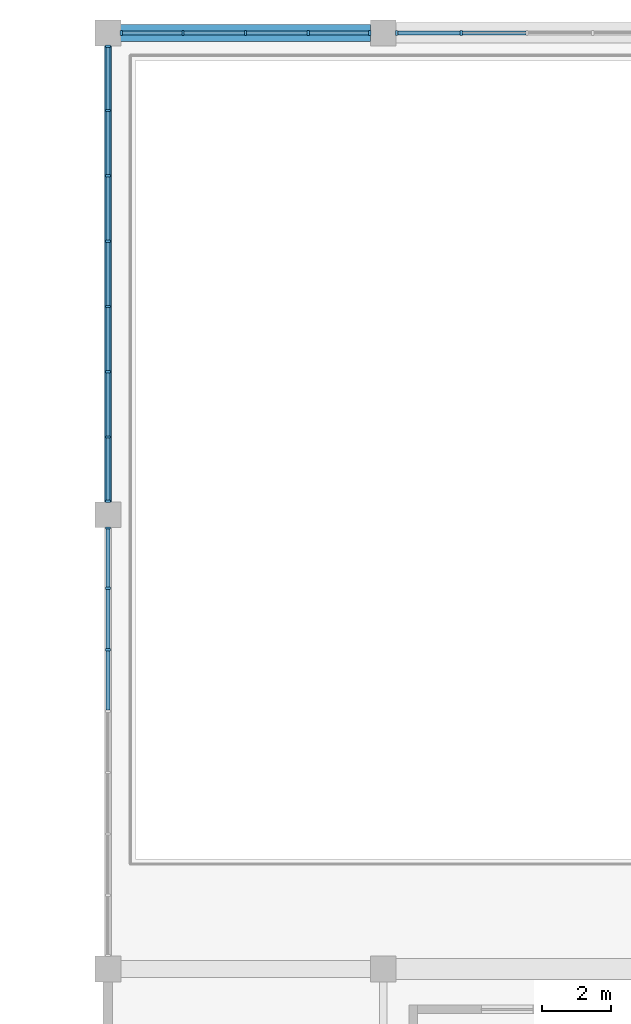
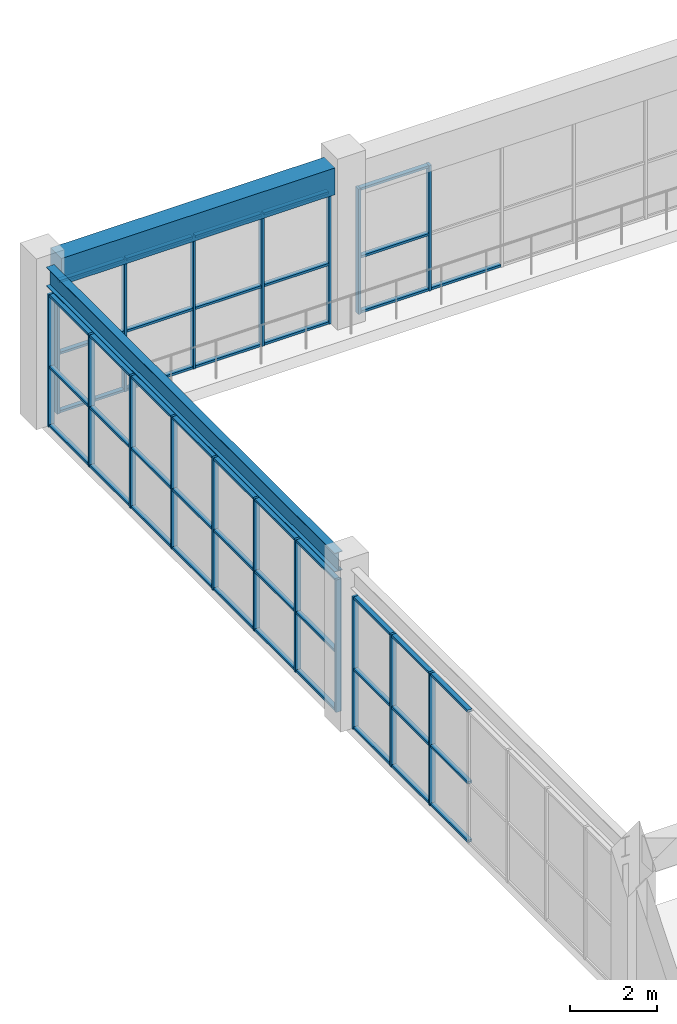
# One storey, part 62 of 112: 64 members, 2 beams, 4 elements without a shape of their own.
"""IFC4 building model written with IfcOpenShell, lengths in metres."""

from ifc_helpers import new_model, si_unit, direction, frame, origin, origin_2d, place, context, subcontext, project, spatial, rectangle, i_section, extrude, material, material_profile, profile_set, type_object, element, aggregate, save


model = new_model("IFC4")

# Units and contexts
model_context = context("Model", 3, precision=1e-05, world=origin(), true_north=direction((0.0, 1.0)))
body_context = subcontext(model_context, "Body", "Model", "MODEL_VIEW")
ifc_project = project(units=[si_unit("LENGTHUNIT", "METRE"), si_unit("AREAUNIT", "SQUARE_METRE"), si_unit("VOLUMEUNIT", "CUBIC_METRE"), si_unit("PLANEANGLEUNIT", "RADIAN"), si_unit("MASSUNIT", "GRAM", prefix="KILO")], contexts=[model_context])

# Site, building, storey
site_placement = place(None, origin())
site = spatial("IfcSite", under=ifc_project, at=site_placement, CompositionType="ELEMENT")
building_placement = place(site_placement, origin())
building = spatial("IfcBuilding", under=site, at=building_placement, Name="Cuetzalor Civic Arena", CompositionType="ELEMENT")
storey_placement = place(building_placement, frame((0.0, 0.0, 11.39990234375)))
storey = spatial("IfcBuildingStorey", under=building, at=storey_placement, Name="L02", CompositionType="ELEMENT", Elevation=11.39990234375)

# Beam
ifc_material_1 = material(Name="Concrete C40/50", Category="concrete")
ifc_material_profile_1 = material_profile(ifc_material_1, rectangle(XDim=0.5, YDim=0.75, at=origin_2d()), Name="RC 500x750")
ifc_profile_set_1 = profile_set([ifc_material_profile_1], Name="Concrete C40/50")
beam_type_1 = type_object("IfcBeamType", Name="ConcreteFrameBeam_500x750", PredefinedType="BEAM", material=ifc_profile_set_1)
beam_1_placement = place(storey_placement, frame((-71.635009765625, 75.5, 4.10498046875), z_axis=(1.0, 0.0, 0.0), x_axis=(0.0, 1.0, 0.0)))
element("IfcBeam", 1, at=beam_1_placement, inside=storey, type_object=beam_type_1, Name="Frame Girder V5-L02-X0808", PredefinedType="BEAM", context=body_context, shape_type="SweptSolid", body=[
    extrude(rectangle(XDim=0.5, YDim=0.75, at=origin_2d()), origin(), (0.0, 0.0, 1.0), 7.27001953125),
])

# Curtain wall, members
ifc_material_2 = material(Name="Anodised dark bronze aluminium and low-E solar glass", Category="aluminium")
curtain_wall_type_1 = type_object("IfcCurtainWallType", Name="StickCW_7300x3700", PredefinedType="USERDEFINED", material=ifc_material_2)
curtain_wall_1_placement = place(storey_placement, origin())
curtain_wall_1 = element("IfcCurtainWall", 2, at=curtain_wall_1_placement, inside=storey, type_object=curtain_wall_type_1, Name="Practice Court North-Light Curtain Wall L02-157", ObjectType="STICK CURTAIN WALL", PredefinedType="USERDEFINED")
ifc_material_3 = material(Name="Anodised dark bronze aluminium", Category="aluminium")
ifc_material_profile_2 = material_profile(ifc_material_3, rectangle(XDim=0.06494140625, YDim=0.14990234375, at=origin_2d()), Name="ALU MULLION 65x150")
ifc_profile_set_2 = profile_set([ifc_material_profile_2], Name="Anodised dark bronze aluminium")
member_type_1 = type_object("IfcMemberType", Name="CurtainWallMullion_60x150", PredefinedType="MULLION", material=ifc_profile_set_2)
member_1_placement = place(storey_placement, frame((-71.610595703125, 75.5, 0.0), z_axis=(0.0, 0.0, 1.0), x_axis=(1.0, 0.0, 0.0)))
member_1 = element("IfcMember", 3, at=member_1_placement, type_object=member_type_1, Name="CW-51 mullion 1", PredefinedType="MULLION", context=body_context, shape_type="SweptSolid", body=[
    extrude(rectangle(XDim=0.06494140625, YDim=0.14990234375, at=origin_2d()), origin(), (0.0, 0.0, 1.0), 3.72021484375),
])
member_2_placement = place(storey_placement, frame((-69.821533203125, 75.5, 0.0), z_axis=(0.0, 0.0, 1.0), x_axis=(1.0, 0.0, 0.0)))
member_2 = element("IfcMember", 4, at=member_2_placement, type_object=member_type_1, Name="CW-51 mullion 2", PredefinedType="MULLION", context=body_context, shape_type="SweptSolid", body=[
    extrude(rectangle(XDim=0.06494140625, YDim=0.14990234375, at=origin_2d()), origin(), (0.0, 0.0, 1.0), 3.72021484375),
])
member_3_placement = place(storey_placement, frame((-68.0, 75.5, 0.0), z_axis=(0.0, 0.0, 1.0), x_axis=(1.0, 0.0, 0.0)))
member_3 = element("IfcMember", 5, at=member_3_placement, type_object=member_type_1, Name="CW-51 mullion 3", PredefinedType="MULLION", context=body_context, shape_type="SweptSolid", body=[
    extrude(rectangle(XDim=0.06494140625, YDim=0.14990234375, at=origin_2d()), origin(), (0.0, 0.0, 1.0), 3.72021484375),
])
member_4_placement = place(storey_placement, frame((-66.178466796875, 75.5, 0.0), z_axis=(0.0, 0.0, 1.0), x_axis=(1.0, 0.0, 0.0)))
member_4 = element("IfcMember", 6, at=member_4_placement, type_object=member_type_1, Name="CW-51 mullion 4", PredefinedType="MULLION", context=body_context, shape_type="SweptSolid", body=[
    extrude(rectangle(XDim=0.06494140625, YDim=0.14990234375, at=origin_2d()), origin(), (0.0, 0.0, 1.0), 3.72021484375),
])
member_5_placement = place(storey_placement, frame((-64.389404296875, 75.5, 0.0), z_axis=(0.0, 0.0, 1.0), x_axis=(1.0, 0.0, 0.0)))
member_5 = element("IfcMember", 7, at=member_5_placement, type_object=member_type_1, Name="CW-51 mullion 5", PredefinedType="MULLION", context=body_context, shape_type="SweptSolid", body=[
    extrude(rectangle(XDim=0.06494140625, YDim=0.14990234375, at=origin_2d()), origin(), (0.0, 0.0, 1.0), 3.72021484375),
])

ifc_material_4 = material(Name="Anodised dark bronze aluminium and low-E solar glass", Category="aluminium")
curtain_wall_type_2 = type_object("IfcCurtainWallType", Name="StickCW_15300x3500", PredefinedType="USERDEFINED", material=ifc_material_4)
curtain_wall_2_placement = place(storey_placement, origin())
curtain_wall_2 = element("IfcCurtainWall", 8, at=curtain_wall_2_placement, inside=storey, type_object=curtain_wall_type_2, Name="Practice Court North-Light Curtain Wall L02-158", ObjectType="STICK CURTAIN WALL", PredefinedType="USERDEFINED")
member_6_placement = place(storey_placement, frame((-63.610595703125, 75.5, 0.0), z_axis=(0.0, 0.0, 1.0), x_axis=(1.0, 0.0, 0.0)))
member_6 = element("IfcMember", 9, at=member_6_placement, type_object=member_type_1, Name="CW-52 mullion 1", PredefinedType="MULLION", context=body_context, shape_type="SweptSolid", body=[
    extrude(rectangle(XDim=0.06494140625, YDim=0.14990234375, at=origin_2d()), origin(), (0.0, 0.0, 1.0), 3.52001953125),
])
member_7_placement = place(storey_placement, frame((-61.732177734375, 75.5, 0.0), z_axis=(0.0, 0.0, 1.0), x_axis=(1.0, 0.0, 0.0)))
member_7 = element("IfcMember", 10, at=member_7_placement, type_object=member_type_1, Name="CW-52 mullion 2", PredefinedType="MULLION", context=body_context, shape_type="SweptSolid", body=[
    extrude(rectangle(XDim=0.06494140625, YDim=0.14990234375, at=origin_2d()), origin(), (0.0, 0.0, 1.0), 3.52001953125),
])

ifc_material_5 = material(Name="Anodised dark bronze aluminium and low-E solar glass", Category="aluminium")
curtain_wall_type_3 = type_object("IfcCurtainWallType", Name="StickCW_12500x3700", PredefinedType="USERDEFINED", material=ifc_material_5)
curtain_wall_3_placement = place(storey_placement, origin())
curtain_wall_3 = element("IfcCurtainWall", 11, at=curtain_wall_3_placement, inside=storey, type_object=curtain_wall_type_3, Name="Practice Court West Clerestory Curtain Wall L02-161", ObjectType="STICK CURTAIN WALL", PredefinedType="USERDEFINED")
member_8_placement = place(storey_placement, frame((-72.0, 57.57568359375, 0.0), z_axis=(0.0, 0.0, 1.0), x_axis=(0.0, 1.0, 0.0)))
member_8 = element("IfcMember", 12, at=member_8_placement, type_object=member_type_1, Name="CW-54 mullion 6", PredefinedType="MULLION", context=body_context, shape_type="SweptSolid", body=[
    extrude(rectangle(XDim=0.06494140625, YDim=0.14990234375, at=origin_2d()), origin(), (0.0, 0.0, 1.0), 3.72021484375),
])
member_9_placement = place(storey_placement, frame((-72.0, 59.359375, 0.0), z_axis=(0.0, 0.0, 1.0), x_axis=(0.0, 1.0, 0.0)))
member_9 = element("IfcMember", 13, at=member_9_placement, type_object=member_type_1, Name="CW-54 mullion 7", PredefinedType="MULLION", context=body_context, shape_type="SweptSolid", body=[
    extrude(rectangle(XDim=0.06494140625, YDim=0.14990234375, at=origin_2d()), origin(), (0.0, 0.0, 1.0), 3.72021484375),
])
member_10_placement = place(storey_placement, frame((-72.0, 61.110595703125, 0.0), z_axis=(0.0, 0.0, 1.0), x_axis=(0.0, 1.0, 0.0)))
member_10 = element("IfcMember", 14, at=member_10_placement, type_object=member_type_1, Name="CW-54 mullion 8", PredefinedType="MULLION", context=body_context, shape_type="SweptSolid", body=[
    extrude(rectangle(XDim=0.06494140625, YDim=0.14990234375, at=origin_2d()), origin(), (0.0, 0.0, 1.0), 3.72021484375),
])

ifc_material_6 = material(Name="Anodised dark bronze aluminium and low-E solar glass", Category="aluminium")
curtain_wall_type_4 = type_object("IfcCurtainWallType", Name="StickCW_13300x3700", PredefinedType="USERDEFINED", material=ifc_material_6)
curtain_wall_4_placement = place(storey_placement, origin())
curtain_wall_4 = element("IfcCurtainWall", 15, at=curtain_wall_4_placement, inside=storey, type_object=curtain_wall_type_4, Name="Practice Court West Clerestory Curtain Wall L02-162", ObjectType="STICK CURTAIN WALL", PredefinedType="USERDEFINED")
member_11_placement = place(storey_placement, frame((-72.0, 61.889404296875, 0.0), z_axis=(0.0, 0.0, 1.0), x_axis=(0.0, 1.0, 0.0)))
member_11 = element("IfcMember", 16, at=member_11_placement, type_object=member_type_1, Name="CW-55 mullion 1", PredefinedType="MULLION", context=body_context, shape_type="SweptSolid", body=[
    extrude(rectangle(XDim=0.06494140625, YDim=0.14990234375, at=origin_2d()), origin(), (0.0, 0.0, 1.0), 3.72021484375),
])
member_12_placement = place(storey_placement, frame((-72.0, 63.7548828125, 0.0), z_axis=(0.0, 0.0, 1.0), x_axis=(0.0, 1.0, 0.0)))
member_12 = element("IfcMember", 17, at=member_12_placement, type_object=member_type_1, Name="CW-55 mullion 2", PredefinedType="MULLION", context=body_context, shape_type="SweptSolid", body=[
    extrude(rectangle(XDim=0.06494140625, YDim=0.14990234375, at=origin_2d()), origin(), (0.0, 0.0, 1.0), 3.72021484375),
])
member_13_placement = place(storey_placement, frame((-72.0, 65.653076171875, 0.0), z_axis=(0.0, 0.0, 1.0), x_axis=(0.0, 1.0, 0.0)))
member_13 = element("IfcMember", 18, at=member_13_placement, type_object=member_type_1, Name="CW-55 mullion 3", PredefinedType="MULLION", context=body_context, shape_type="SweptSolid", body=[
    extrude(rectangle(XDim=0.06494140625, YDim=0.14990234375, at=origin_2d()), origin(), (0.0, 0.0, 1.0), 3.72021484375),
])
member_14_placement = place(storey_placement, frame((-72.0, 67.551025390625, 0.0), z_axis=(0.0, 0.0, 1.0), x_axis=(0.0, 1.0, 0.0)))
member_14 = element("IfcMember", 19, at=member_14_placement, type_object=member_type_1, Name="CW-55 mullion 4", PredefinedType="MULLION", context=body_context, shape_type="SweptSolid", body=[
    extrude(rectangle(XDim=0.06494140625, YDim=0.14990234375, at=origin_2d()), origin(), (0.0, 0.0, 1.0), 3.72021484375),
])
member_15_placement = place(storey_placement, frame((-72.0, 69.448974609375, 0.0), z_axis=(0.0, 0.0, 1.0), x_axis=(0.0, 1.0, 0.0)))
member_15 = element("IfcMember", 20, at=member_15_placement, type_object=member_type_1, Name="CW-55 mullion 5", PredefinedType="MULLION", context=body_context, shape_type="SweptSolid", body=[
    extrude(rectangle(XDim=0.06494140625, YDim=0.14990234375, at=origin_2d()), origin(), (0.0, 0.0, 1.0), 3.72021484375),
])
member_16_placement = place(storey_placement, frame((-72.0, 71.346923828125, 0.0), z_axis=(0.0, 0.0, 1.0), x_axis=(0.0, 1.0, 0.0)))
member_16 = element("IfcMember", 21, at=member_16_placement, type_object=member_type_1, Name="CW-55 mullion 6", PredefinedType="MULLION", context=body_context, shape_type="SweptSolid", body=[
    extrude(rectangle(XDim=0.06494140625, YDim=0.14990234375, at=origin_2d()), origin(), (0.0, 0.0, 1.0), 3.72021484375),
])
member_17_placement = place(storey_placement, frame((-72.0, 73.2451171875, 0.0), z_axis=(0.0, 0.0, 1.0), x_axis=(0.0, 1.0, 0.0)))
member_17 = element("IfcMember", 22, at=member_17_placement, type_object=member_type_1, Name="CW-55 mullion 7", PredefinedType="MULLION", context=body_context, shape_type="SweptSolid", body=[
    extrude(rectangle(XDim=0.06494140625, YDim=0.14990234375, at=origin_2d()), origin(), (0.0, 0.0, 1.0), 3.72021484375),
])
member_18_placement = place(storey_placement, frame((-72.0, 75.110595703125, 0.0), z_axis=(0.0, 0.0, 1.0), x_axis=(0.0, 1.0, 0.0)))
member_18 = element("IfcMember", 23, at=member_18_placement, type_object=member_type_1, Name="CW-55 mullion 8", PredefinedType="MULLION", context=body_context, shape_type="SweptSolid", body=[
    extrude(rectangle(XDim=0.06494140625, YDim=0.14990234375, at=origin_2d()), origin(), (0.0, 0.0, 1.0), 3.72021484375),
])

# Member
ifc_material_7 = material(Name="Anodised dark bronze aluminium", Category="aluminium")
ifc_material_profile_3 = material_profile(ifc_material_7, rectangle(XDim=0.1201171875, YDim=0.06494140625, at=origin_2d()), Name="ALU TRANSOM 65x120")
ifc_profile_set_3 = profile_set([ifc_material_profile_3], Name="Anodised dark bronze aluminium")
member_type_2 = type_object("IfcMemberType", Name="CurtainWallTransom_60x120", PredefinedType="USERDEFINED", material=ifc_profile_set_3)
member_19_placement = place(storey_placement, frame((-71.577880859375, 75.5, 0.03271484375), z_axis=(1.0, 0.0, 0.0), x_axis=(0.0, 1.0, 0.0)))
member_19 = element("IfcMember", 24, at=member_19_placement, type_object=member_type_2, Name="CW-51 transom 1.1", ObjectType="TRANSOM", PredefinedType="USERDEFINED", context=body_context, shape_type="SweptSolid", body=[
    extrude(rectangle(XDim=0.1201171875, YDim=0.06494140625, at=origin_2d()), origin(), (0.0, 0.0, 1.0), 1.723876953125),
])

member_20_placement = place(storey_placement, frame((-71.577880859375, 75.5, 1.674072265625), z_axis=(1.0, 0.0, 0.0), x_axis=(0.0, 1.0, 0.0)))
member_20 = element("IfcMember", 25, at=member_20_placement, type_object=member_type_2, Name="CW-51 transom 1.2", ObjectType="TRANSOM", PredefinedType="USERDEFINED", context=body_context, shape_type="SweptSolid", body=[
    extrude(rectangle(XDim=0.1201171875, YDim=0.06494140625, at=origin_2d()), origin(), (0.0, 0.0, 1.0), 1.723876953125),
])

member_21_placement = place(storey_placement, frame((-71.577880859375, 75.5, 3.6875), z_axis=(1.0, 0.0, 0.0), x_axis=(0.0, 1.0, 0.0)))
member_21 = element("IfcMember", 26, at=member_21_placement, type_object=member_type_2, Name="CW-51 transom 1.3", ObjectType="TRANSOM", PredefinedType="USERDEFINED", context=body_context, shape_type="SweptSolid", body=[
    extrude(rectangle(XDim=0.1201171875, YDim=0.06494140625, at=origin_2d()), origin(), (0.0, 0.0, 1.0), 1.723876953125),
])

member_22_placement = place(storey_placement, frame((-69.7890625, 75.5, 0.03271484375), z_axis=(1.0, 0.0, 0.0), x_axis=(0.0, 1.0, 0.0)))
member_22 = element("IfcMember", 27, at=member_22_placement, type_object=member_type_2, Name="CW-51 transom 2.1", ObjectType="TRANSOM", PredefinedType="USERDEFINED", context=body_context, shape_type="SweptSolid", body=[
    extrude(rectangle(XDim=0.1201171875, YDim=0.06494140625, at=origin_2d()), origin(), (0.0, 0.0, 1.0), 1.756591796875),
])

member_23_placement = place(storey_placement, frame((-69.7890625, 75.5, 1.674072265625), z_axis=(1.0, 0.0, 0.0), x_axis=(0.0, 1.0, 0.0)))
member_23 = element("IfcMember", 28, at=member_23_placement, type_object=member_type_2, Name="CW-51 transom 2.2", ObjectType="TRANSOM", PredefinedType="USERDEFINED", context=body_context, shape_type="SweptSolid", body=[
    extrude(rectangle(XDim=0.1201171875, YDim=0.06494140625, at=origin_2d()), origin(), (0.0, 0.0, 1.0), 1.756591796875),
])

member_24_placement = place(storey_placement, frame((-69.7890625, 75.5, 3.6875), z_axis=(1.0, 0.0, 0.0), x_axis=(0.0, 1.0, 0.0)))
member_24 = element("IfcMember", 29, at=member_24_placement, type_object=member_type_2, Name="CW-51 transom 2.3", ObjectType="TRANSOM", PredefinedType="USERDEFINED", context=body_context, shape_type="SweptSolid", body=[
    extrude(rectangle(XDim=0.1201171875, YDim=0.06494140625, at=origin_2d()), origin(), (0.0, 0.0, 1.0), 1.756591796875),
])

member_25_placement = place(storey_placement, frame((-67.967529296875, 75.5, 0.03271484375), z_axis=(1.0, 0.0, 0.0), x_axis=(0.0, 1.0, 0.0)))
member_25 = element("IfcMember", 30, at=member_25_placement, type_object=member_type_2, Name="CW-51 transom 3.1", ObjectType="TRANSOM", PredefinedType="USERDEFINED", context=body_context, shape_type="SweptSolid", body=[
    extrude(rectangle(XDim=0.1201171875, YDim=0.06494140625, at=origin_2d()), origin(), (0.0, 0.0, 1.0), 1.756591796875),
])

member_26_placement = place(storey_placement, frame((-67.967529296875, 75.5, 1.674072265625), z_axis=(1.0, 0.0, 0.0), x_axis=(0.0, 1.0, 0.0)))
member_26 = element("IfcMember", 31, at=member_26_placement, type_object=member_type_2, Name="CW-51 transom 3.2", ObjectType="TRANSOM", PredefinedType="USERDEFINED", context=body_context, shape_type="SweptSolid", body=[
    extrude(rectangle(XDim=0.1201171875, YDim=0.06494140625, at=origin_2d()), origin(), (0.0, 0.0, 1.0), 1.756591796875),
])

member_27_placement = place(storey_placement, frame((-67.967529296875, 75.5, 3.6875), z_axis=(1.0, 0.0, 0.0), x_axis=(0.0, 1.0, 0.0)))
member_27 = element("IfcMember", 32, at=member_27_placement, type_object=member_type_2, Name="CW-51 transom 3.3", ObjectType="TRANSOM", PredefinedType="USERDEFINED", context=body_context, shape_type="SweptSolid", body=[
    extrude(rectangle(XDim=0.1201171875, YDim=0.06494140625, at=origin_2d()), origin(), (0.0, 0.0, 1.0), 1.756591796875),
])

member_28_placement = place(storey_placement, frame((-66.14599609375, 75.5, 0.03271484375), z_axis=(1.0, 0.0, 0.0), x_axis=(0.0, 1.0, 0.0)))
member_28 = element("IfcMember", 33, at=member_28_placement, type_object=member_type_2, Name="CW-51 transom 4.1", ObjectType="TRANSOM", PredefinedType="USERDEFINED", context=body_context, shape_type="SweptSolid", body=[
    extrude(rectangle(XDim=0.1201171875, YDim=0.06494140625, at=origin_2d()), origin(), (0.0, 0.0, 1.0), 1.723876953125),
])

member_29_placement = place(storey_placement, frame((-66.14599609375, 75.5, 1.674072265625), z_axis=(1.0, 0.0, 0.0), x_axis=(0.0, 1.0, 0.0)))
member_29 = element("IfcMember", 34, at=member_29_placement, type_object=member_type_2, Name="CW-51 transom 4.2", ObjectType="TRANSOM", PredefinedType="USERDEFINED", context=body_context, shape_type="SweptSolid", body=[
    extrude(rectangle(XDim=0.1201171875, YDim=0.06494140625, at=origin_2d()), origin(), (0.0, 0.0, 1.0), 1.723876953125),
])

member_30_placement = place(storey_placement, frame((-66.14599609375, 75.5, 3.6875), z_axis=(1.0, 0.0, 0.0), x_axis=(0.0, 1.0, 0.0)))
member_30 = element("IfcMember", 35, at=member_30_placement, type_object=member_type_2, Name="CW-51 transom 4.3", ObjectType="TRANSOM", PredefinedType="USERDEFINED", context=body_context, shape_type="SweptSolid", body=[
    extrude(rectangle(XDim=0.1201171875, YDim=0.06494140625, at=origin_2d()), origin(), (0.0, 0.0, 1.0), 1.723876953125),
])

aggregate(curtain_wall_1, [member_1, member_2, member_3, member_4, member_5, member_19, member_20, member_21, member_22, member_23, member_24, member_25, member_26, member_27, member_28, member_29, member_30])

member_31_placement = place(storey_placement, frame((-63.577880859375, 75.5, 0.03271484375), z_axis=(1.0, 0.0, 0.0), x_axis=(0.0, 1.0, 0.0)))
member_31 = element("IfcMember", 36, at=member_31_placement, type_object=member_type_2, Name="CW-52 transom 1.1", ObjectType="TRANSOM", PredefinedType="USERDEFINED", context=body_context, shape_type="SweptSolid", body=[
    extrude(rectangle(XDim=0.1201171875, YDim=0.06494140625, at=origin_2d()), origin(), (0.0, 0.0, 1.0), 1.813232421875),
])

member_32_placement = place(storey_placement, frame((-63.577880859375, 75.5, 1.583984375), z_axis=(1.0, 0.0, 0.0), x_axis=(0.0, 1.0, 0.0)))
member_32 = element("IfcMember", 37, at=member_32_placement, type_object=member_type_2, Name="CW-52 transom 1.2", ObjectType="TRANSOM", PredefinedType="USERDEFINED", context=body_context, shape_type="SweptSolid", body=[
    extrude(rectangle(XDim=0.1201171875, YDim=0.06494140625, at=origin_2d()), origin(), (0.0, 0.0, 1.0), 1.813232421875),
])

member_33_placement = place(storey_placement, frame((-63.577880859375, 75.5, 3.487548828125), z_axis=(1.0, 0.0, 0.0), x_axis=(0.0, 1.0, 0.0)))
member_33 = element("IfcMember", 38, at=member_33_placement, type_object=member_type_2, Name="CW-52 transom 1.3", ObjectType="TRANSOM", PredefinedType="USERDEFINED", context=body_context, shape_type="SweptSolid", body=[
    extrude(rectangle(XDim=0.1201171875, YDim=0.06494140625, at=origin_2d()), origin(), (0.0, 0.0, 1.0), 1.813232421875),
])

member_34_placement = place(storey_placement, frame((-61.69970703125, 75.5, 0.03271484375), z_axis=(1.0, 0.0, 0.0), x_axis=(0.0, 1.0, 0.0)))
member_34 = element("IfcMember", 39, at=member_34_placement, type_object=member_type_2, Name="CW-52 transom 2.1", ObjectType="TRANSOM", PredefinedType="USERDEFINED", context=body_context, shape_type="SweptSolid", body=[
    extrude(rectangle(XDim=0.1201171875, YDim=0.06494140625, at=origin_2d()), origin(), (0.0, 0.0, 1.0), 1.845703125),
])

aggregate(curtain_wall_2, [member_6, member_7, member_31, member_32, member_33, member_34])

member_35_placement = place(storey_placement, frame((-72.0, 55.824462890625, 0.03271484375), z_axis=(0.0, 1.0, 0.0), x_axis=(-1.0, 0.0, 0.0)))
member_35 = element("IfcMember", 40, at=member_35_placement, type_object=member_type_2, Name="CW-54 transom 5.1", ObjectType="TRANSOM", PredefinedType="USERDEFINED", context=body_context, shape_type="SweptSolid", body=[
    extrude(rectangle(XDim=0.1201171875, YDim=0.06494140625, at=origin_2d()), origin(), (0.0, 0.0, 1.0), 1.718505859375),
])

member_36_placement = place(storey_placement, frame((-72.0, 55.824462890625, 1.674072265625), z_axis=(0.0, 1.0, 0.0), x_axis=(-1.0, 0.0, 0.0)))
member_36 = element("IfcMember", 41, at=member_36_placement, type_object=member_type_2, Name="CW-54 transom 5.2", ObjectType="TRANSOM", PredefinedType="USERDEFINED", context=body_context, shape_type="SweptSolid", body=[
    extrude(rectangle(XDim=0.1201171875, YDim=0.06494140625, at=origin_2d()), origin(), (0.0, 0.0, 1.0), 1.718505859375),
])

member_37_placement = place(storey_placement, frame((-72.0, 55.824462890625, 3.6875), z_axis=(0.0, 1.0, 0.0), x_axis=(-1.0, 0.0, 0.0)))
member_37 = element("IfcMember", 42, at=member_37_placement, type_object=member_type_2, Name="CW-54 transom 5.3", ObjectType="TRANSOM", PredefinedType="USERDEFINED", context=body_context, shape_type="SweptSolid", body=[
    extrude(rectangle(XDim=0.1201171875, YDim=0.06494140625, at=origin_2d()), origin(), (0.0, 0.0, 1.0), 1.718505859375),
])

member_38_placement = place(storey_placement, frame((-72.0, 57.608154296875, 0.03271484375), z_axis=(0.0, 1.0, 0.0), x_axis=(-1.0, 0.0, 0.0)))
member_38 = element("IfcMember", 43, at=member_38_placement, type_object=member_type_2, Name="CW-54 transom 6.1", ObjectType="TRANSOM", PredefinedType="USERDEFINED", context=body_context, shape_type="SweptSolid", body=[
    extrude(rectangle(XDim=0.1201171875, YDim=0.06494140625, at=origin_2d()), origin(), (0.0, 0.0, 1.0), 1.71875),
])

member_39_placement = place(storey_placement, frame((-72.0, 57.608154296875, 1.674072265625), z_axis=(0.0, 1.0, 0.0), x_axis=(-1.0, 0.0, 0.0)))
member_39 = element("IfcMember", 44, at=member_39_placement, type_object=member_type_2, Name="CW-54 transom 6.2", ObjectType="TRANSOM", PredefinedType="USERDEFINED", context=body_context, shape_type="SweptSolid", body=[
    extrude(rectangle(XDim=0.1201171875, YDim=0.06494140625, at=origin_2d()), origin(), (0.0, 0.0, 1.0), 1.71875),
])

member_40_placement = place(storey_placement, frame((-72.0, 57.608154296875, 3.6875), z_axis=(0.0, 1.0, 0.0), x_axis=(-1.0, 0.0, 0.0)))
member_40 = element("IfcMember", 45, at=member_40_placement, type_object=member_type_2, Name="CW-54 transom 6.3", ObjectType="TRANSOM", PredefinedType="USERDEFINED", context=body_context, shape_type="SweptSolid", body=[
    extrude(rectangle(XDim=0.1201171875, YDim=0.06494140625, at=origin_2d()), origin(), (0.0, 0.0, 1.0), 1.71875),
])

member_41_placement = place(storey_placement, frame((-72.0, 59.391845703125, 0.03271484375), z_axis=(0.0, 1.0, 0.0), x_axis=(-1.0, 0.0, 0.0)))
member_41 = element("IfcMember", 46, at=member_41_placement, type_object=member_type_2, Name="CW-54 transom 7.1", ObjectType="TRANSOM", PredefinedType="USERDEFINED", context=body_context, shape_type="SweptSolid", body=[
    extrude(rectangle(XDim=0.1201171875, YDim=0.06494140625, at=origin_2d()), origin(), (0.0, 0.0, 1.0), 1.68603515625),
])

member_42_placement = place(storey_placement, frame((-72.0, 59.391845703125, 1.674072265625), z_axis=(0.0, 1.0, 0.0), x_axis=(-1.0, 0.0, 0.0)))
member_42 = element("IfcMember", 47, at=member_42_placement, type_object=member_type_2, Name="CW-54 transom 7.2", ObjectType="TRANSOM", PredefinedType="USERDEFINED", context=body_context, shape_type="SweptSolid", body=[
    extrude(rectangle(XDim=0.1201171875, YDim=0.06494140625, at=origin_2d()), origin(), (0.0, 0.0, 1.0), 1.68603515625),
])

member_43_placement = place(storey_placement, frame((-72.0, 59.391845703125, 3.6875), z_axis=(0.0, 1.0, 0.0), x_axis=(-1.0, 0.0, 0.0)))
member_43 = element("IfcMember", 48, at=member_43_placement, type_object=member_type_2, Name="CW-54 transom 7.3", ObjectType="TRANSOM", PredefinedType="USERDEFINED", context=body_context, shape_type="SweptSolid", body=[
    extrude(rectangle(XDim=0.1201171875, YDim=0.06494140625, at=origin_2d()), origin(), (0.0, 0.0, 1.0), 1.68603515625),
])

aggregate(curtain_wall_3, [member_8, member_9, member_10, member_35, member_36, member_37, member_38, member_39, member_40, member_41, member_42, member_43])

member_44_placement = place(storey_placement, frame((-72.0, 61.922119140625, 0.03271484375), z_axis=(0.0, 1.0, 0.0), x_axis=(-1.0, 0.0, 0.0)))
member_44 = element("IfcMember", 49, at=member_44_placement, type_object=member_type_2, Name="CW-55 transom 1.1", ObjectType="TRANSOM", PredefinedType="USERDEFINED", context=body_context, shape_type="SweptSolid", body=[
    extrude(rectangle(XDim=0.1201171875, YDim=0.06494140625, at=origin_2d()), origin(), (0.0, 0.0, 1.0), 1.80029296875),
])

member_45_placement = place(storey_placement, frame((-72.0, 61.922119140625, 1.674072265625), z_axis=(0.0, 1.0, 0.0), x_axis=(-1.0, 0.0, 0.0)))
member_45 = element("IfcMember", 50, at=member_45_placement, type_object=member_type_2, Name="CW-55 transom 1.2", ObjectType="TRANSOM", PredefinedType="USERDEFINED", context=body_context, shape_type="SweptSolid", body=[
    extrude(rectangle(XDim=0.1201171875, YDim=0.06494140625, at=origin_2d()), origin(), (0.0, 0.0, 1.0), 1.80029296875),
])

member_46_placement = place(storey_placement, frame((-72.0, 61.922119140625, 3.6875), z_axis=(0.0, 1.0, 0.0), x_axis=(-1.0, 0.0, 0.0)))
member_46 = element("IfcMember", 51, at=member_46_placement, type_object=member_type_2, Name="CW-55 transom 1.3", ObjectType="TRANSOM", PredefinedType="USERDEFINED", context=body_context, shape_type="SweptSolid", body=[
    extrude(rectangle(XDim=0.1201171875, YDim=0.06494140625, at=origin_2d()), origin(), (0.0, 0.0, 1.0), 1.80029296875),
])

member_47_placement = place(storey_placement, frame((-72.0, 63.78759765625, 0.03271484375), z_axis=(0.0, 1.0, 0.0), x_axis=(-1.0, 0.0, 0.0)))
member_47 = element("IfcMember", 52, at=member_47_placement, type_object=member_type_2, Name="CW-55 transom 2.1", ObjectType="TRANSOM", PredefinedType="USERDEFINED", context=body_context, shape_type="SweptSolid", body=[
    extrude(rectangle(XDim=0.1201171875, YDim=0.06494140625, at=origin_2d()), origin(), (0.0, 0.0, 1.0), 1.8330078125),
])

member_48_placement = place(storey_placement, frame((-72.0, 63.78759765625, 1.674072265625), z_axis=(0.0, 1.0, 0.0), x_axis=(-1.0, 0.0, 0.0)))
member_48 = element("IfcMember", 53, at=member_48_placement, type_object=member_type_2, Name="CW-55 transom 2.2", ObjectType="TRANSOM", PredefinedType="USERDEFINED", context=body_context, shape_type="SweptSolid", body=[
    extrude(rectangle(XDim=0.1201171875, YDim=0.06494140625, at=origin_2d()), origin(), (0.0, 0.0, 1.0), 1.8330078125),
])

member_49_placement = place(storey_placement, frame((-72.0, 63.78759765625, 3.6875), z_axis=(0.0, 1.0, 0.0), x_axis=(-1.0, 0.0, 0.0)))
member_49 = element("IfcMember", 54, at=member_49_placement, type_object=member_type_2, Name="CW-55 transom 2.3", ObjectType="TRANSOM", PredefinedType="USERDEFINED", context=body_context, shape_type="SweptSolid", body=[
    extrude(rectangle(XDim=0.1201171875, YDim=0.06494140625, at=origin_2d()), origin(), (0.0, 0.0, 1.0), 1.8330078125),
])

member_50_placement = place(storey_placement, frame((-72.0, 65.685546875, 0.03271484375), z_axis=(0.0, 1.0, 0.0), x_axis=(-1.0, 0.0, 0.0)))
member_50 = element("IfcMember", 55, at=member_50_placement, type_object=member_type_2, Name="CW-55 transom 3.1", ObjectType="TRANSOM", PredefinedType="USERDEFINED", context=body_context, shape_type="SweptSolid", body=[
    extrude(rectangle(XDim=0.1201171875, YDim=0.06494140625, at=origin_2d()), origin(), (0.0, 0.0, 1.0), 1.8330078125),
])

member_51_placement = place(storey_placement, frame((-72.0, 65.685546875, 1.674072265625), z_axis=(0.0, 1.0, 0.0), x_axis=(-1.0, 0.0, 0.0)))
member_51 = element("IfcMember", 56, at=member_51_placement, type_object=member_type_2, Name="CW-55 transom 3.2", ObjectType="TRANSOM", PredefinedType="USERDEFINED", context=body_context, shape_type="SweptSolid", body=[
    extrude(rectangle(XDim=0.1201171875, YDim=0.06494140625, at=origin_2d()), origin(), (0.0, 0.0, 1.0), 1.8330078125),
])

member_52_placement = place(storey_placement, frame((-72.0, 65.685546875, 3.6875), z_axis=(0.0, 1.0, 0.0), x_axis=(-1.0, 0.0, 0.0)))
member_52 = element("IfcMember", 57, at=member_52_placement, type_object=member_type_2, Name="CW-55 transom 3.3", ObjectType="TRANSOM", PredefinedType="USERDEFINED", context=body_context, shape_type="SweptSolid", body=[
    extrude(rectangle(XDim=0.1201171875, YDim=0.06494140625, at=origin_2d()), origin(), (0.0, 0.0, 1.0), 1.8330078125),
])

member_53_placement = place(storey_placement, frame((-72.0, 67.58349609375, 0.03271484375), z_axis=(0.0, 1.0, 0.0), x_axis=(-1.0, 0.0, 0.0)))
member_53 = element("IfcMember", 58, at=member_53_placement, type_object=member_type_2, Name="CW-55 transom 4.1", ObjectType="TRANSOM", PredefinedType="USERDEFINED", context=body_context, shape_type="SweptSolid", body=[
    extrude(rectangle(XDim=0.1201171875, YDim=0.06494140625, at=origin_2d()), origin(), (0.0, 0.0, 1.0), 1.8330078125),
])

member_54_placement = place(storey_placement, frame((-72.0, 67.58349609375, 1.674072265625), z_axis=(0.0, 1.0, 0.0), x_axis=(-1.0, 0.0, 0.0)))
member_54 = element("IfcMember", 59, at=member_54_placement, type_object=member_type_2, Name="CW-55 transom 4.2", ObjectType="TRANSOM", PredefinedType="USERDEFINED", context=body_context, shape_type="SweptSolid", body=[
    extrude(rectangle(XDim=0.1201171875, YDim=0.06494140625, at=origin_2d()), origin(), (0.0, 0.0, 1.0), 1.8330078125),
])

member_55_placement = place(storey_placement, frame((-72.0, 67.58349609375, 3.6875), z_axis=(0.0, 1.0, 0.0), x_axis=(-1.0, 0.0, 0.0)))
member_55 = element("IfcMember", 60, at=member_55_placement, type_object=member_type_2, Name="CW-55 transom 4.3", ObjectType="TRANSOM", PredefinedType="USERDEFINED", context=body_context, shape_type="SweptSolid", body=[
    extrude(rectangle(XDim=0.1201171875, YDim=0.06494140625, at=origin_2d()), origin(), (0.0, 0.0, 1.0), 1.8330078125),
])

member_56_placement = place(storey_placement, frame((-72.0, 69.4814453125, 0.03271484375), z_axis=(0.0, 1.0, 0.0), x_axis=(-1.0, 0.0, 0.0)))
member_56 = element("IfcMember", 61, at=member_56_placement, type_object=member_type_2, Name="CW-55 transom 5.1", ObjectType="TRANSOM", PredefinedType="USERDEFINED", context=body_context, shape_type="SweptSolid", body=[
    extrude(rectangle(XDim=0.1201171875, YDim=0.06494140625, at=origin_2d()), origin(), (0.0, 0.0, 1.0), 1.8330078125),
])

member_57_placement = place(storey_placement, frame((-72.0, 69.4814453125, 1.674072265625), z_axis=(0.0, 1.0, 0.0), x_axis=(-1.0, 0.0, 0.0)))
member_57 = element("IfcMember", 62, at=member_57_placement, type_object=member_type_2, Name="CW-55 transom 5.2", ObjectType="TRANSOM", PredefinedType="USERDEFINED", context=body_context, shape_type="SweptSolid", body=[
    extrude(rectangle(XDim=0.1201171875, YDim=0.06494140625, at=origin_2d()), origin(), (0.0, 0.0, 1.0), 1.8330078125),
])

member_58_placement = place(storey_placement, frame((-72.0, 69.4814453125, 3.6875), z_axis=(0.0, 1.0, 0.0), x_axis=(-1.0, 0.0, 0.0)))
member_58 = element("IfcMember", 63, at=member_58_placement, type_object=member_type_2, Name="CW-55 transom 5.3", ObjectType="TRANSOM", PredefinedType="USERDEFINED", context=body_context, shape_type="SweptSolid", body=[
    extrude(rectangle(XDim=0.1201171875, YDim=0.06494140625, at=origin_2d()), origin(), (0.0, 0.0, 1.0), 1.8330078125),
])

member_59_placement = place(storey_placement, frame((-72.0, 71.37939453125, 0.03271484375), z_axis=(0.0, 1.0, 0.0), x_axis=(-1.0, 0.0, 0.0)))
member_59 = element("IfcMember", 64, at=member_59_placement, type_object=member_type_2, Name="CW-55 transom 6.1", ObjectType="TRANSOM", PredefinedType="USERDEFINED", context=body_context, shape_type="SweptSolid", body=[
    extrude(rectangle(XDim=0.1201171875, YDim=0.06494140625, at=origin_2d()), origin(), (0.0, 0.0, 1.0), 1.8330078125),
])

member_60_placement = place(storey_placement, frame((-72.0, 71.37939453125, 1.674072265625), z_axis=(0.0, 1.0, 0.0), x_axis=(-1.0, 0.0, 0.0)))
member_60 = element("IfcMember", 65, at=member_60_placement, type_object=member_type_2, Name="CW-55 transom 6.2", ObjectType="TRANSOM", PredefinedType="USERDEFINED", context=body_context, shape_type="SweptSolid", body=[
    extrude(rectangle(XDim=0.1201171875, YDim=0.06494140625, at=origin_2d()), origin(), (0.0, 0.0, 1.0), 1.8330078125),
])

member_61_placement = place(storey_placement, frame((-72.0, 71.37939453125, 3.6875), z_axis=(0.0, 1.0, 0.0), x_axis=(-1.0, 0.0, 0.0)))
member_61 = element("IfcMember", 66, at=member_61_placement, type_object=member_type_2, Name="CW-55 transom 6.3", ObjectType="TRANSOM", PredefinedType="USERDEFINED", context=body_context, shape_type="SweptSolid", body=[
    extrude(rectangle(XDim=0.1201171875, YDim=0.06494140625, at=origin_2d()), origin(), (0.0, 0.0, 1.0), 1.8330078125),
])

member_62_placement = place(storey_placement, frame((-72.0, 73.277587890625, 0.03271484375), z_axis=(0.0, 1.0, 0.0), x_axis=(-1.0, 0.0, 0.0)))
member_62 = element("IfcMember", 67, at=member_62_placement, type_object=member_type_2, Name="CW-55 transom 7.1", ObjectType="TRANSOM", PredefinedType="USERDEFINED", context=body_context, shape_type="SweptSolid", body=[
    extrude(rectangle(XDim=0.1201171875, YDim=0.06494140625, at=origin_2d()), origin(), (0.0, 0.0, 1.0), 1.80029296875),
])

member_63_placement = place(storey_placement, frame((-72.0, 73.277587890625, 1.674072265625), z_axis=(0.0, 1.0, 0.0), x_axis=(-1.0, 0.0, 0.0)))
member_63 = element("IfcMember", 68, at=member_63_placement, type_object=member_type_2, Name="CW-55 transom 7.2", ObjectType="TRANSOM", PredefinedType="USERDEFINED", context=body_context, shape_type="SweptSolid", body=[
    extrude(rectangle(XDim=0.1201171875, YDim=0.06494140625, at=origin_2d()), origin(), (0.0, 0.0, 1.0), 1.80029296875),
])

member_64_placement = place(storey_placement, frame((-72.0, 73.277587890625, 3.6875), z_axis=(0.0, 1.0, 0.0), x_axis=(-1.0, 0.0, 0.0)))
member_64 = element("IfcMember", 69, at=member_64_placement, type_object=member_type_2, Name="CW-55 transom 7.3", ObjectType="TRANSOM", PredefinedType="USERDEFINED", context=body_context, shape_type="SweptSolid", body=[
    extrude(rectangle(XDim=0.1201171875, YDim=0.06494140625, at=origin_2d()), origin(), (0.0, 0.0, 1.0), 1.80029296875),
])

aggregate(curtain_wall_4, [member_11, member_12, member_13, member_14, member_15, member_16, member_17, member_18, member_44, member_45, member_46, member_47, member_48, member_49, member_50, member_51, member_52, member_53, member_54, member_55, member_56, member_57, member_58, member_59, member_60, member_61, member_62, member_63, member_64])

# Beam
ifc_material_8 = material(Name="Steel S355", Category="steel")
ifc_material_profile_4 = material_profile(ifc_material_8, i_section(OverallWidth=0.208984375, OverallDepth=0.532958984375, WebThickness=0.01025390625, FlangeThickness=0.015625, at=origin_2d()), Name="W530x92")
ifc_profile_set_4 = profile_set([ifc_material_profile_4], Name="Steel S355")
beam_type_2 = type_object("IfcBeamType", Name="SteelCollarGirder_W530", PredefinedType="BEAM", material=ifc_profile_set_4)
beam_2_placement = place(storey_placement, frame((-72.0, 61.864990234375, 4.213623046875), z_axis=(0.0, 1.0, 0.0), x_axis=(-1.0, 0.0, 0.0)))
element("IfcBeam", 70, at=beam_2_placement, inside=storey, type_object=beam_type_2, Name="Frame Girder V5-L02-Y0824", PredefinedType="BEAM", context=body_context, shape_type="SweptSolid", body=[
    extrude(i_section(OverallWidth=0.208984375, OverallDepth=0.532958984375, WebThickness=0.01025390625, FlangeThickness=0.015625, at=origin_2d()), origin(), (0.0, 0.0, 1.0), 13.27001953125),
])

save(model, "model.ifc")
